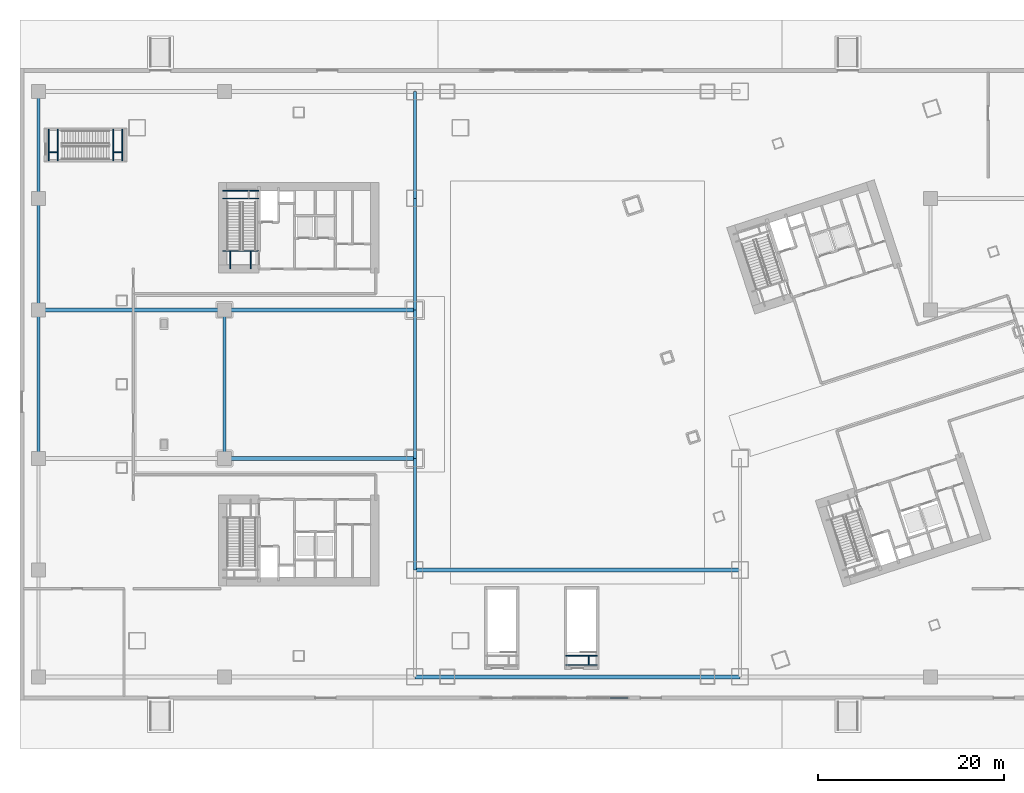
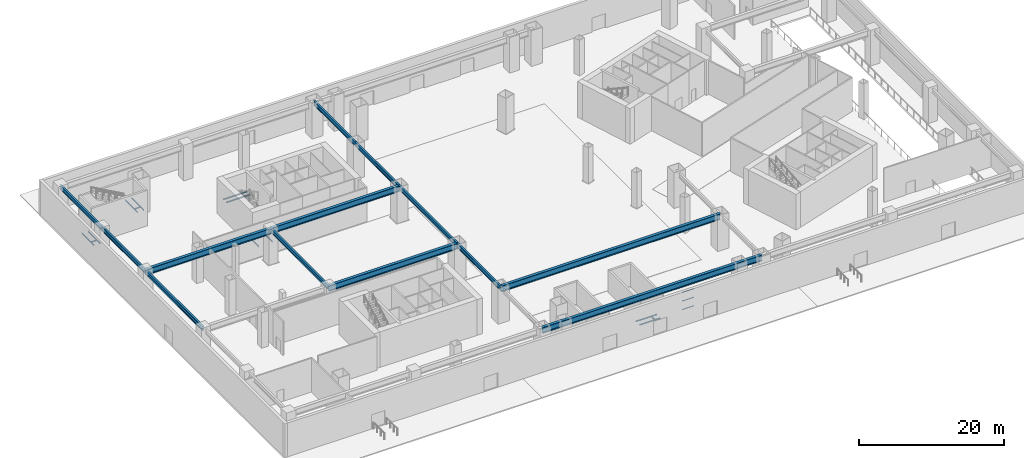
# One storey, part 5 of 31: 27 beams, 3 members, 1 element without a shape of its own.
"""IFC4 building model written with IfcOpenShell, lengths in metres."""

from ifc_helpers import new_model, si_unit, direction, frame, origin, origin_2d, place, context, subcontext, project, spatial, hollow_rectangle, i_section, extrude, material, layer, layer_set, material_profile, profile_set, type_object, element, aggregate, save


model = new_model("IFC4")

# Units and contexts
model_context = context("Model", 3, precision=1e-05, world=origin(), true_north=direction((0.0, 1.0)))
body_context = subcontext(model_context, "Body", "Model", "MODEL_VIEW")
ifc_project = project(units=[si_unit("LENGTHUNIT", "METRE"), si_unit("AREAUNIT", "SQUARE_METRE"), si_unit("VOLUMEUNIT", "CUBIC_METRE"), si_unit("PLANEANGLEUNIT", "RADIAN"), si_unit("MASSUNIT", "GRAM", prefix="KILO")], contexts=[model_context])

# Site, building, storey
site_placement = place(None, origin())
site = spatial("IfcSite", under=ifc_project, at=site_placement, CompositionType="ELEMENT")
building_placement = place(site_placement, origin())
building = spatial("IfcBuilding", under=site, at=building_placement, Name="Qiaolan Cultural Towers", CompositionType="ELEMENT")
storey_placement = place(building_placement, origin())
storey = spatial("IfcBuildingStorey", under=building, at=storey_placement, Name="L00", CompositionType="ELEMENT", Elevation=0.0)

# Beams
ifc_material_1 = material(Name="Steel Q390GJB", Category="steel")
ifc_material_profile_1 = material_profile(ifc_material_1, i_section(OverallWidth=0.449951171875, OverallDepth=1.0, WebThickness=0.02392578125, FlangeThickness=0.0400390625, at=origin_2d()), Name="BH1000x450x24x40")
ifc_profile_set_1 = profile_set([ifc_material_profile_1], Name="Steel Q390GJB")
beam_type_1 = type_object("IfcBeamType", Name="BM-BH1000x450x24x40", PredefinedType="BEAM", material=ifc_profile_set_1)
for number, where, z_axis, x_axis, name in (
    (1, (42.5, 2.5, 5.199951171875), (1.0, 0.0, 0.0), (0.0, 1.0, 0.0), "L00 Podium Primary Girder Y=2.5"),
    (2, (42.5, 14.0, 5.199951171875), (1.0, 0.0, 0.0), (0.0, 1.0, 0.0), "L00 Podium Primary Girder Y=14.0"),
):
    element("IfcBeam", number, at=place(storey_placement, frame(where, z_axis=z_axis, x_axis=x_axis)), inside=storey, type_object=beam_type_1, Name=name, PredefinedType="BEAM", context=body_context, shape_type="SweptSolid", body=[
        extrude(i_section(OverallWidth=0.449951171875, OverallDepth=1.0, WebThickness=0.02392578125, FlangeThickness=0.0400390625, at=origin_2d()), origin(), (0.0, 0.0, 1.0), 35.0),
    ])
beam_1_placement = place(storey_placement, frame((22.0, 26.0, 5.199951171875), z_axis=(1.0, 0.0, 0.0), x_axis=(0.0, 1.0, 0.0)))
element("IfcBeam", 3, at=beam_1_placement, inside=storey, type_object=beam_type_1, Name="L00 Podium Primary Girder Y=26.0", PredefinedType="BEAM", context=body_context, shape_type="SweptSolid", body=[
    extrude(i_section(OverallWidth=0.449951171875, OverallDepth=1.0, WebThickness=0.02392578125, FlangeThickness=0.0400390625, at=origin_2d()), origin(), (0.0, 0.0, 1.0), 20.5),
])
beam_2_placement = place(storey_placement, frame((2.0, 42.0, 5.199951171875), z_axis=(1.0, 0.0, 0.0), x_axis=(0.0, 1.0, 0.0)))
element("IfcBeam", 4, at=beam_2_placement, inside=storey, type_object=beam_type_1, Name="L00 Podium Primary Girder Y=42.0", PredefinedType="BEAM", context=body_context, shape_type="SweptSolid", body=[
    extrude(i_section(OverallWidth=0.449951171875, OverallDepth=1.0, WebThickness=0.02392578125, FlangeThickness=0.0400390625, at=origin_2d()), origin(), (0.0, 0.0, 1.0), 20.0),
])
beam_3_placement = place(storey_placement, frame((22.0, 42.0, 5.199951171875), z_axis=(1.0, 0.0, 0.0), x_axis=(0.0, 1.0, 0.0)))
element("IfcBeam", 5, at=beam_3_placement, inside=storey, type_object=beam_type_1, Name="L00 Podium Primary Girder Y=42.0", PredefinedType="BEAM", context=body_context, shape_type="SweptSolid", body=[
    extrude(i_section(OverallWidth=0.449951171875, OverallDepth=1.0, WebThickness=0.02392578125, FlangeThickness=0.0400390625, at=origin_2d()), origin(), (0.0, 0.0, 1.0), 20.5),
])
ifc_material_2 = material(Name="Steel Q355B", Category="steel")
ifc_material_profile_2 = material_profile(ifc_material_2, i_section(OverallWidth=0.300048828125, OverallDepth=0.699951171875, WebThickness=0.012939453125, FlangeThickness=0.02392578125, at=origin_2d()), Name="HN700x300x13x24")
ifc_profile_set_2 = profile_set([ifc_material_profile_2], Name="Steel Q355B")
beam_type_2 = type_object("IfcBeamType", Name="BM-HN700x300x13x24", PredefinedType="BEAM", material=ifc_profile_set_2)
beam_4_placement = place(storey_placement, frame((2.0, 26.0, 5.35009765625), z_axis=(0.0, 1.0, 0.0), x_axis=(-1.0, 0.0, 0.0)))
element("IfcBeam", 6, at=beam_4_placement, inside=storey, type_object=beam_type_2, Name="L00 Podium Transverse Beam X=2.0", PredefinedType="BEAM", context=body_context, shape_type="SweptSolid", body=[
    extrude(i_section(OverallWidth=0.300048828125, OverallDepth=0.699951171875, WebThickness=0.012939453125, FlangeThickness=0.02392578125, at=origin_2d()), origin(), (0.0, 0.0, 1.0), 16.0),
])
beam_5_placement = place(storey_placement, frame((2.0, 42.0, 5.35009765625), z_axis=(0.0, 1.0, 0.0), x_axis=(-1.0, 0.0, 0.0)))
element("IfcBeam", 7, at=beam_5_placement, inside=storey, type_object=beam_type_2, Name="L00 Podium Transverse Beam X=2.0", PredefinedType="BEAM", context=body_context, shape_type="SweptSolid", body=[
    extrude(i_section(OverallWidth=0.300048828125, OverallDepth=0.699951171875, WebThickness=0.012939453125, FlangeThickness=0.02392578125, at=origin_2d()), origin(), (0.0, 0.0, 1.0), 12.0),
])
beam_6_placement = place(storey_placement, frame((2.0, 54.0, 5.35009765625), z_axis=(0.0, 1.0, 0.0), x_axis=(-1.0, 0.0, 0.0)))
element("IfcBeam", 8, at=beam_6_placement, inside=storey, type_object=beam_type_2, Name="L00 Podium Transverse Beam X=2.0", PredefinedType="BEAM", context=body_context, shape_type="SweptSolid", body=[
    extrude(i_section(OverallWidth=0.300048828125, OverallDepth=0.699951171875, WebThickness=0.012939453125, FlangeThickness=0.02392578125, at=origin_2d()), origin(), (0.0, 0.0, 1.0), 11.5),
])
beam_7_placement = place(storey_placement, frame((22.0, 26.0, 5.35009765625), z_axis=(0.0, 1.0, 0.0), x_axis=(-1.0, 0.0, 0.0)))
element("IfcBeam", 9, at=beam_7_placement, inside=storey, type_object=beam_type_2, Name="L00 Podium Transverse Beam X=22.0", PredefinedType="BEAM", context=body_context, shape_type="SweptSolid", body=[
    extrude(i_section(OverallWidth=0.300048828125, OverallDepth=0.699951171875, WebThickness=0.012939453125, FlangeThickness=0.02392578125, at=origin_2d()), origin(), (0.0, 0.0, 1.0), 16.0),
])
beam_8_placement = place(storey_placement, frame((42.5, 14.0, 5.35009765625), z_axis=(0.0, 1.0, 0.0), x_axis=(-1.0, 0.0, 0.0)))
element("IfcBeam", 10, at=beam_8_placement, inside=storey, type_object=beam_type_2, Name="L00 Podium Transverse Beam X=42.5", PredefinedType="BEAM", context=body_context, shape_type="SweptSolid", body=[
    extrude(i_section(OverallWidth=0.300048828125, OverallDepth=0.699951171875, WebThickness=0.012939453125, FlangeThickness=0.02392578125, at=origin_2d()), origin(), (0.0, 0.0, 1.0), 12.0),
])
beam_9_placement = place(storey_placement, frame((42.5, 26.0, 5.35009765625), z_axis=(0.0, 1.0, 0.0), x_axis=(-1.0, 0.0, 0.0)))
element("IfcBeam", 11, at=beam_9_placement, inside=storey, type_object=beam_type_2, Name="L00 Podium Transverse Beam X=42.5", PredefinedType="BEAM", context=body_context, shape_type="SweptSolid", body=[
    extrude(i_section(OverallWidth=0.300048828125, OverallDepth=0.699951171875, WebThickness=0.012939453125, FlangeThickness=0.02392578125, at=origin_2d()), origin(), (0.0, 0.0, 1.0), 16.0),
])
beam_10_placement = place(storey_placement, frame((42.5, 42.0, 5.35009765625), z_axis=(0.0, 1.0, 0.0), x_axis=(-1.0, 0.0, 0.0)))
element("IfcBeam", 12, at=beam_10_placement, inside=storey, type_object=beam_type_2, Name="L00 Podium Transverse Beam X=42.5", PredefinedType="BEAM", context=body_context, shape_type="SweptSolid", body=[
    extrude(i_section(OverallWidth=0.300048828125, OverallDepth=0.699951171875, WebThickness=0.012939453125, FlangeThickness=0.02392578125, at=origin_2d()), origin(), (0.0, 0.0, 1.0), 12.0),
])
beam_11_placement = place(storey_placement, frame((42.5, 54.0, 5.35009765625), z_axis=(0.0, 1.0, 0.0), x_axis=(-1.0, 0.0, 0.0)))
element("IfcBeam", 13, at=beam_11_placement, inside=storey, type_object=beam_type_2, Name="L00 Podium Transverse Beam X=42.5", PredefinedType="BEAM", context=body_context, shape_type="SweptSolid", body=[
    extrude(i_section(OverallWidth=0.300048828125, OverallDepth=0.699951171875, WebThickness=0.012939453125, FlangeThickness=0.02392578125, at=origin_2d()), origin(), (0.0, 0.0, 1.0), 11.5),
])
ifc_material_3 = material(Name="Steel Q355B", Category="steel")
ifc_material_profile_3 = material_profile(ifc_material_3, i_section(OverallWidth=0.10009765625, OverallDepth=0.199951171875, WebThickness=0.005615234375, FlangeThickness=0.008056640625, at=origin_2d()), Name="HN200x100x5.5x8")
ifc_profile_set_3 = profile_set([ifc_material_profile_3], Name="Steel Q355B")
beam_type_3 = type_object("IfcBeamType", Name="BM-STTRIM-200", PredefinedType="BEAM", material=ifc_profile_set_3)
beam_12_placement = place(storey_placement, frame((21.800048828125, 48.340087890625, -0.4599609375), z_axis=(1.0, 0.0, 0.0), x_axis=(0.0, 1.0, 0.0)))
element("IfcBeam", 14, at=beam_12_placement, inside=storey, type_object=beam_type_3, Name="L00 ST-W2 Floor Landing Header Beam", PredefinedType="BEAM", context=body_context, shape_type="SweptSolid", body=[
    extrude(i_section(OverallWidth=0.10009765625, OverallDepth=0.199951171875, WebThickness=0.005615234375, FlangeThickness=0.008056640625, at=origin_2d()), origin(), (0.0, 0.0, 1.0), 3.919921875),
])
for number, where, z_axis, x_axis, name in (
    (15, (22.64990234375, 46.39990234375, -0.4599609375), (0.0, 1.0, 0.0), (-1.0, 0.0, 0.0), "L00 ST-W2 Floor Landing Stringer 1"),
    (16, (24.85009765625, 46.39990234375, -0.4599609375), (0.0, 1.0, 0.0), (-1.0, 0.0, 0.0), "L00 ST-W2 Floor Landing Stringer 2"),
):
    element("IfcBeam", number, at=place(storey_placement, frame(where, z_axis=z_axis, x_axis=x_axis)), inside=storey, type_object=beam_type_3, Name=name, PredefinedType="BEAM", context=body_context, shape_type="SweptSolid", body=[
        extrude(i_section(OverallWidth=0.10009765625, OverallDepth=0.199951171875, WebThickness=0.005615234375, FlangeThickness=0.008056640625, at=origin_2d()), origin(), (0.0, 0.0, 1.0), 1.940185546875),
    ])
for number, where, z_axis, x_axis, name in (
    (17, (21.800048828125, 53.98876953125, 2.699951171875), (1.0, 0.0, 0.0), (0.0, 1.0, 0.0), "L00 ST-W2 Stair Landing Support Beam 1-1"),
    (18, (21.800048828125, 54.820068359375, 2.699951171875), (1.0, 0.0, 0.0), (0.0, 1.0, 0.0), "L00 ST-W2 Stair Landing Support Beam 1-2"),
):
    element("IfcBeam", number, at=place(storey_placement, frame(where, z_axis=z_axis, x_axis=x_axis)), inside=storey, type_object=beam_type_3, Name=name, PredefinedType="BEAM", context=body_context, shape_type="SweptSolid", body=[
        extrude(i_section(OverallWidth=0.10009765625, OverallDepth=0.199951171875, WebThickness=0.005615234375, FlangeThickness=0.008056640625, at=origin_2d()), origin(), (0.0, 0.0, 1.0), 3.919921875),
    ])
for number, where, z_axis, x_axis, name in (
    (19, (3.080078125, 58.050048828125, -0.4599609375), (0.0, 1.0, 0.0), (-1.0, 0.0, 0.0), "L00 ST-P1 Floor Landing Beam 1"),
    (20, (4.080078125, 58.050048828125, -0.4599609375), (0.0, 1.0, 0.0), (-1.0, 0.0, 0.0), "L00 ST-P1 Floor Landing Beam 2"),
):
    element("IfcBeam", number, at=place(storey_placement, frame(where, z_axis=z_axis, x_axis=x_axis)), inside=storey, type_object=beam_type_3, Name=name, PredefinedType="BEAM", context=body_context, shape_type="SweptSolid", body=[
        extrude(i_section(OverallWidth=0.10009765625, OverallDepth=0.199951171875, WebThickness=0.005615234375, FlangeThickness=0.008056640625, at=origin_2d()), origin(), (0.0, 0.0, 1.0), 3.39990234375),
    ])
beam_13_placement = place(storey_placement, frame((3.080078125, 58.97509765625, -0.4599609375), z_axis=(1.0, 0.0, 0.0), x_axis=(0.0, 1.0, 0.0)))
element("IfcBeam", 21, at=beam_13_placement, inside=storey, type_object=beam_type_3, Name="L00 ST-P1 Floor Landing Trimmer", PredefinedType="BEAM", context=body_context, shape_type="SweptSolid", body=[
    extrude(i_section(OverallWidth=0.10009765625, OverallDepth=0.199951171875, WebThickness=0.005615234375, FlangeThickness=0.008056640625, at=origin_2d()), origin(), (0.0, 0.0, 1.0), 1.0),
])
for number, where, z_axis, x_axis, name in (
    (22, (10.038818359375, 58.050048828125, 2.699951171875), (0.0, 1.0, 0.0), (-1.0, 0.0, 0.0), "L00 ST-P1 Stair Landing Support Beam 1-1"),
    (23, (11.02001953125, 58.050048828125, 2.699951171875), (0.0, 1.0, 0.0), (-1.0, 0.0, 0.0), "L00 ST-P1 Stair Landing Support Beam 1-2"),
):
    element("IfcBeam", number, at=place(storey_placement, frame(where, z_axis=z_axis, x_axis=x_axis)), inside=storey, type_object=beam_type_3, Name=name, PredefinedType="BEAM", context=body_context, shape_type="SweptSolid", body=[
        extrude(i_section(OverallWidth=0.10009765625, OverallDepth=0.199951171875, WebThickness=0.005615234375, FlangeThickness=0.008056640625, at=origin_2d()), origin(), (0.0, 0.0, 1.0), 3.39990234375),
    ])
beam_14_placement = place(storey_placement, frame((10.038818359375, 58.97509765625, 2.699951171875), z_axis=(1.0, 0.0, 0.0), x_axis=(0.0, 1.0, 0.0)))
element("IfcBeam", 24, at=beam_14_placement, inside=storey, type_object=beam_type_3, Name="L00 ST-P1 Stair Landing Trimmer 1", PredefinedType="BEAM", context=body_context, shape_type="SweptSolid", body=[
    extrude(i_section(OverallWidth=0.10009765625, OverallDepth=0.199951171875, WebThickness=0.005615234375, FlangeThickness=0.008056640625, at=origin_2d()), origin(), (0.0, 0.0, 1.0), 0.981201171875),
])
for number, where, z_axis, x_axis, name in (
    (25, (62.14990234375, 3.780029296875, -0.4599609375), (-1.0, 0.0, 0.0), (0.0, -1.0, 0.0), "L00 ST-M2 Floor Landing Beam 1"),
    (26, (62.14990234375, 4.780029296875, -0.4599609375), (-1.0, 0.0, 0.0), (0.0, -1.0, 0.0), "L00 ST-M2 Floor Landing Beam 2"),
):
    element("IfcBeam", number, at=place(storey_placement, frame(where, z_axis=z_axis, x_axis=x_axis)), inside=storey, type_object=beam_type_3, Name=name, PredefinedType="BEAM", context=body_context, shape_type="SweptSolid", body=[
        extrude(i_section(OverallWidth=0.10009765625, OverallDepth=0.199951171875, WebThickness=0.005615234375, FlangeThickness=0.008056640625, at=origin_2d()), origin(), (0.0, 0.0, 1.0), 3.39990234375),
    ])
beam_15_placement = place(storey_placement, frame((61.22509765625, 3.780029296875, -0.4599609375), z_axis=(0.0, 1.0, 0.0), x_axis=(-1.0, 0.0, 0.0)))
element("IfcBeam", 27, at=beam_15_placement, inside=storey, type_object=beam_type_3, Name="L00 ST-M2 Floor Landing Trimmer", PredefinedType="BEAM", context=body_context, shape_type="SweptSolid", body=[
    extrude(i_section(OverallWidth=0.10009765625, OverallDepth=0.199951171875, WebThickness=0.005615234375, FlangeThickness=0.008056640625, at=origin_2d()), origin(), (0.0, 0.0, 1.0), 1.0),
])

# Curtain wall, members
ifc_material_4 = material(Name="Unitized Anodized Aluminium Curtain Wall System", Category="aluminium")
ifc_layer = layer(ifc_material_4, 0.199951171875)
ifc_layer_set = layer_set([ifc_layer], Name="Unitized Anodized Aluminium Curtain Wall System")
curtain_wall_type = type_object("IfcCurtainWallType", Name="CWS-01", PredefinedType="NOTDEFINED", material=ifc_layer_set)
curtain_wall_placement = place(storey_placement, origin())
curtain_wall = element("IfcCurtainWall", 28, at=curtain_wall_placement, inside=storey, type_object=curtain_wall_type, Name="L00 South Station Concourse Clerestory Curtain Wall", PredefinedType="NOTDEFINED")
ifc_material_5 = material(Name="Extruded Aluminium 6063-T6", Category="aluminium")
ifc_material_profile_4 = material_profile(ifc_material_5, hollow_rectangle(XDim=0.06494140625, YDim=0.14990234375, WallThickness=0.00390625, at=origin_2d()), Name="CWT-150x65x4")
ifc_profile_set_4 = profile_set([ifc_material_profile_4], Name="Extruded Aluminium 6063-T6")
member_type = type_object("IfcMemberType", Name="CWS-01-TRN", PredefinedType="USERDEFINED", material=ifc_profile_set_4)
member_1_placement = place(storey_placement, frame((63.53759765625, 0.219970703125, 2.632568359375), z_axis=(1.0, 0.0, 0.0), x_axis=(0.0, 1.0, 0.0)))
member_1 = element("IfcMember", 29, at=member_1_placement, type_object=member_type, Name="CW-1 transom 8.1", ObjectType="TRANSOM", PredefinedType="USERDEFINED", context=body_context, shape_type="SweptSolid", body=[
    extrude(hollow_rectangle(XDim=0.06494140625, YDim=0.14990234375, WallThickness=0.00390625, at=origin_2d()), origin(), (0.0, 0.0, 1.0), 1.887451171875),
])
member_2_placement = place(storey_placement, frame((63.53759765625, 0.219970703125, 4.070068359375), z_axis=(1.0, 0.0, 0.0), x_axis=(0.0, 1.0, 0.0)))
member_2 = element("IfcMember", 30, at=member_2_placement, type_object=member_type, Name="CW-1 transom 8.2", ObjectType="TRANSOM", PredefinedType="USERDEFINED", context=body_context, shape_type="SweptSolid", body=[
    extrude(hollow_rectangle(XDim=0.06494140625, YDim=0.14990234375, WallThickness=0.00390625, at=origin_2d()), origin(), (0.0, 0.0, 1.0), 1.887451171875),
])
member_3_placement = place(storey_placement, frame((63.53759765625, 0.219970703125, 5.517578125), z_axis=(1.0, 0.0, 0.0), x_axis=(0.0, 1.0, 0.0)))
member_3 = element("IfcMember", 31, at=member_3_placement, type_object=member_type, Name="CW-1 transom 8.3", ObjectType="TRANSOM", PredefinedType="USERDEFINED", context=body_context, shape_type="SweptSolid", body=[
    extrude(hollow_rectangle(XDim=0.06494140625, YDim=0.14990234375, WallThickness=0.00390625, at=origin_2d()), origin(), (0.0, 0.0, 1.0), 1.887451171875),
])
aggregate(curtain_wall, [member_1, member_2, member_3])

save(model, "model.ifc")
